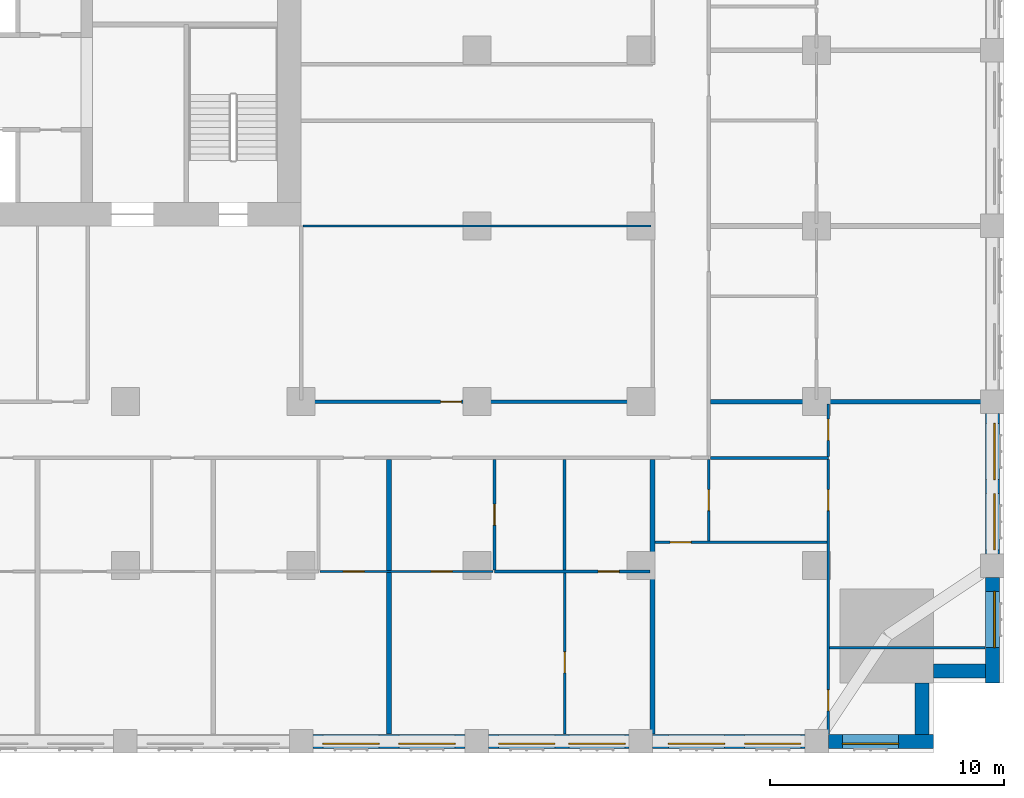
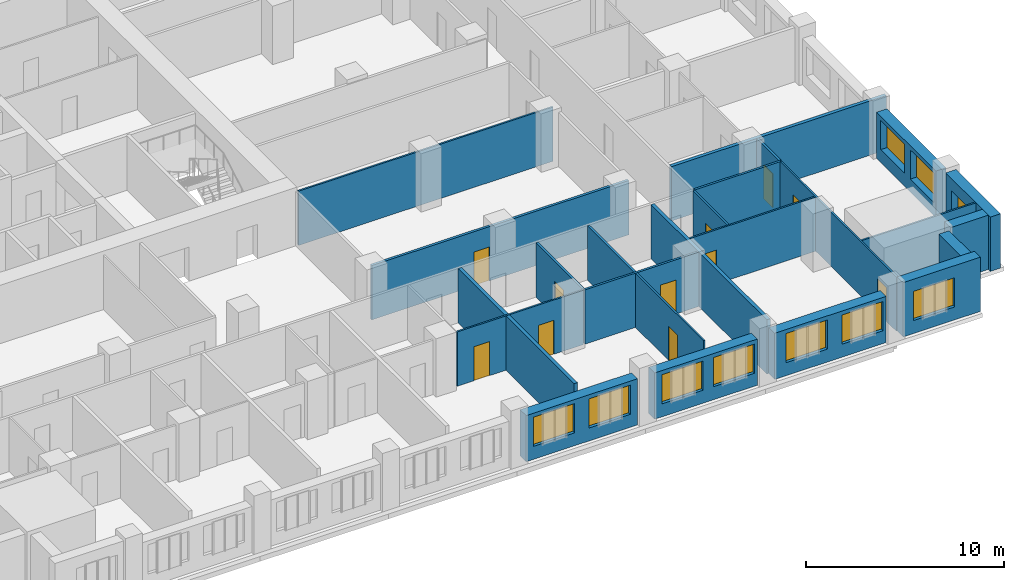
# One storey, part 6 of 14: 24 walls, 11 doors, 10 windows, 21 openings.
"""IFC4 building model written with IfcOpenShell, lengths in metres."""

from ifc_helpers import new_model, si_unit, direction, frame, frame_2d, origin, place, context, subcontext, project, spatial, rectangle, extrude, material, layer, layer_set, type_object, element, fill, save


model = new_model("IFC4")

# Units and contexts
model_context = context("Model", 3, precision=1e-05, world=origin(), true_north=direction((0.0, 1.0)))
body_context = subcontext(model_context, "Body", "Model", "MODEL_VIEW")
ifc_project = project(units=[si_unit("LENGTHUNIT", "METRE"), si_unit("AREAUNIT", "SQUARE_METRE"), si_unit("VOLUMEUNIT", "CUBIC_METRE"), si_unit("PLANEANGLEUNIT", "RADIAN"), si_unit("MASSUNIT", "GRAM", prefix="KILO")], contexts=[model_context])

# Site, building, storey
site_placement = place(None, origin())
site = spatial("IfcSite", under=ifc_project, at=site_placement, CompositionType="ELEMENT")
building_placement = place(site_placement, origin())
building = spatial("IfcBuilding", under=site, at=building_placement, Name="Tamorin Gate", CompositionType="ELEMENT")
storey_placement = place(building_placement, frame((0.0, 0.0, 66.39990234375)))
storey = spatial("IfcBuildingStorey", under=building, at=storey_placement, Name="L15", CompositionType="ELEMENT", Elevation=66.39990234375)

# Wall, openings, windows
ifc_material_1 = material(Name="Precast concrete C40/50", Category="concrete")
ifc_layer_1 = layer(ifc_material_1, 0.60009765625)
ifc_layer_set_1 = layer_set([ifc_layer_1], Name="Precast concrete C40/50")
wall_type_1 = type_object("IfcWallType", Name="Board-marked concrete facade panel 600", PredefinedType="SOLIDWALL", material=ifc_layer_set_1)
wall_1_placement = place(storey_placement, frame((60.5, 38.0, 0.0), z_axis=(0.0, 0.0, 1.0), x_axis=(1.0, 0.0, 0.0)))
wall_1 = element("IfcWall", 1, at=wall_1_placement, inside=storey, type_object=wall_type_1, Name="Facade panel", PredefinedType="SOLIDWALL", context=body_context, shape_type="SweptSolid", body=[
    extrude(rectangle(XDim=6.5, YDim=0.60009765625, at=frame_2d((3.25, 0.0))), origin(), (0.0, 0.0, 1.0), 2.85009765625),
])
opening_1_placement = place(wall_1_placement, frame((0.425048828125, 0.0, 0.800048828125)))
opening_1 = element("IfcOpeningElement", 2, at=opening_1_placement, cuts=wall_1, Name="Opening WN1", PredefinedType="OPENING", context=body_context, shape_type="SweptSolid", body=[
    extrude(rectangle(XDim=2.39990234375, YDim=1.800048828125, at=frame_2d((1.199951171875, 0.89990234375))), frame((0.0, 0.31005859375, 0.0), z_axis=(0.0, -1.0, 0.0), x_axis=(1.0, 0.0, 0.0)), (0.0, 0.0, 1.0), 0.6201171875),
])
opening_2_placement = place(wall_1_placement, frame((3.675048828125, 0.0, 0.800048828125)))
opening_2 = element("IfcOpeningElement", 3, at=opening_2_placement, cuts=wall_1, Name="Opening WN1", PredefinedType="OPENING", context=body_context, shape_type="SweptSolid", body=[
    extrude(rectangle(XDim=2.39990234375, YDim=1.800048828125, at=frame_2d((1.199951171875, 0.89990234375))), frame((0.0, 0.31005859375, 0.0), z_axis=(0.0, -1.0, 0.0), x_axis=(1.0, 0.0, 0.0)), (0.0, 0.0, 1.0), 0.6201171875),
])
ifc_material_2 = material(Name="Clear glass in aluminium frame", Category="aluminium")
window_type = type_object("IfcWindowType", Name="Deep-set window 2400x1800", PartitioningType="SINGLE_PANEL", PredefinedType="WINDOW", material=ifc_material_2)
window_1_placement = place(opening_1_placement, origin())
window_1 = element("IfcWindow", 4, at=window_1_placement, inside=storey, type_object=window_type, Name="Deep-set window", OverallHeight=1.800048828125, OverallWidth=2.39990234375, PartitioningType="SINGLE_PANEL", PredefinedType="WINDOW", context=body_context, shape_type="SweptSolid", body=[
    extrude(rectangle(XDim=2.39990234375, YDim=1.800048828125, at=frame_2d((1.199951171875, 0.89990234375))), frame((0.0, -0.070068359375, 0.0), z_axis=(0.0, -1.0, 0.0), x_axis=(1.0, 0.0, 0.0)), (0.0, 0.0, 1.0), 0.06005859375),
])
fill(opening_1, window_1)
window_2_placement = place(opening_2_placement, origin())
window_2 = element("IfcWindow", 5, at=window_2_placement, inside=storey, type_object=window_type, Name="Deep-set window", OverallHeight=1.800048828125, OverallWidth=2.39990234375, PartitioningType="SINGLE_PANEL", PredefinedType="WINDOW", context=body_context, shape_type="SweptSolid", body=[
    extrude(rectangle(XDim=2.39990234375, YDim=1.800048828125, at=frame_2d((1.199951171875, 0.89990234375))), frame((0.0, -0.070068359375, 0.0), z_axis=(0.0, -1.0, 0.0), x_axis=(1.0, 0.0, 0.0)), (0.0, 0.0, 1.0), 0.06005859375),
])
fill(opening_2, window_2)

wall_2_placement = place(storey_placement, frame((68.0, 38.0, 0.0), z_axis=(0.0, 0.0, 1.0), x_axis=(1.0, 0.0, 0.0)))
wall_2 = element("IfcWall", 6, at=wall_2_placement, inside=storey, type_object=wall_type_1, Name="Facade panel", PredefinedType="SOLIDWALL", context=body_context, shape_type="SweptSolid", body=[
    extrude(rectangle(XDim=6.0, YDim=0.60009765625, at=frame_2d((3.0, 0.0))), origin(), (0.0, 0.0, 1.0), 2.85009765625),
])
opening_3_placement = place(wall_2_placement, frame((0.425048828125, 0.0, 0.800048828125)))
opening_3 = element("IfcOpeningElement", 7, at=opening_3_placement, cuts=wall_2, Name="Opening WN1", PredefinedType="OPENING", context=body_context, shape_type="SweptSolid", body=[
    extrude(rectangle(XDim=2.39990234375, YDim=1.800048828125, at=frame_2d((1.199951171875, 0.89990234375))), frame((0.0, 0.31005859375, 0.0), z_axis=(0.0, -1.0, 0.0), x_axis=(1.0, 0.0, 0.0)), (0.0, 0.0, 1.0), 0.6201171875),
])
opening_4_placement = place(wall_2_placement, frame((3.425048828125, 0.0, 0.800048828125)))
opening_4 = element("IfcOpeningElement", 8, at=opening_4_placement, cuts=wall_2, Name="Opening WN1", PredefinedType="OPENING", context=body_context, shape_type="SweptSolid", body=[
    extrude(rectangle(XDim=2.39990234375, YDim=1.800048828125, at=frame_2d((1.199951171875, 0.89990234375))), frame((0.0, 0.31005859375, 0.0), z_axis=(0.0, -1.0, 0.0), x_axis=(1.0, 0.0, 0.0)), (0.0, 0.0, 1.0), 0.6201171875),
])
window_3_placement = place(opening_3_placement, origin())
window_3 = element("IfcWindow", 9, at=window_3_placement, inside=storey, type_object=window_type, Name="Deep-set window", OverallHeight=1.800048828125, OverallWidth=2.39990234375, PartitioningType="SINGLE_PANEL", PredefinedType="WINDOW", context=body_context, shape_type="SweptSolid", body=[
    extrude(rectangle(XDim=2.39990234375, YDim=1.800048828125, at=frame_2d((1.199951171875, 0.89990234375))), frame((0.0, -0.070068359375, 0.0), z_axis=(0.0, -1.0, 0.0), x_axis=(1.0, 0.0, 0.0)), (0.0, 0.0, 1.0), 0.06005859375),
])
fill(opening_3, window_3)
window_4_placement = place(opening_4_placement, origin())
window_4 = element("IfcWindow", 10, at=window_4_placement, inside=storey, type_object=window_type, Name="Deep-set window", OverallHeight=1.800048828125, OverallWidth=2.39990234375, PartitioningType="SINGLE_PANEL", PredefinedType="WINDOW", context=body_context, shape_type="SweptSolid", body=[
    extrude(rectangle(XDim=2.39990234375, YDim=1.800048828125, at=frame_2d((1.199951171875, 0.89990234375))), frame((0.0, -0.070068359375, 0.0), z_axis=(0.0, -1.0, 0.0), x_axis=(1.0, 0.0, 0.0)), (0.0, 0.0, 1.0), 0.06005859375),
])
fill(opening_4, window_4)

wall_3_placement = place(storey_placement, frame((75.0, 38.0, 0.0), z_axis=(0.0, 0.0, 1.0), x_axis=(1.0, 0.0, 0.0)))
wall_3 = element("IfcWall", 11, at=wall_3_placement, inside=storey, type_object=wall_type_1, Name="Facade panel", PredefinedType="SOLIDWALL", context=body_context, shape_type="SweptSolid", body=[
    extrude(rectangle(XDim=6.5, YDim=0.60009765625, at=frame_2d((3.25, 0.0))), origin(), (0.0, 0.0, 1.0), 2.85009765625),
])
opening_5_placement = place(wall_3_placement, frame((0.675048828125, 0.0, 0.800048828125)))
opening_5 = element("IfcOpeningElement", 12, at=opening_5_placement, cuts=wall_3, Name="Opening WN1", PredefinedType="OPENING", context=body_context, shape_type="SweptSolid", body=[
    extrude(rectangle(XDim=2.39990234375, YDim=1.800048828125, at=frame_2d((1.199951171875, 0.89990234375))), frame((0.0, 0.31005859375, 0.0), z_axis=(0.0, -1.0, 0.0), x_axis=(1.0, 0.0, 0.0)), (0.0, 0.0, 1.0), 0.6201171875),
])
opening_6_placement = place(wall_3_placement, frame((3.925048828125, 0.0, 0.800048828125)))
opening_6 = element("IfcOpeningElement", 13, at=opening_6_placement, cuts=wall_3, Name="Opening WN1", PredefinedType="OPENING", context=body_context, shape_type="SweptSolid", body=[
    extrude(rectangle(XDim=2.39990234375, YDim=1.800048828125, at=frame_2d((1.199951171875, 0.89990234375))), frame((0.0, 0.31005859375, 0.0), z_axis=(0.0, -1.0, 0.0), x_axis=(1.0, 0.0, 0.0)), (0.0, 0.0, 1.0), 0.6201171875),
])
window_5_placement = place(opening_5_placement, origin())
window_5 = element("IfcWindow", 14, at=window_5_placement, inside=storey, type_object=window_type, Name="Deep-set window", OverallHeight=1.800048828125, OverallWidth=2.39990234375, PartitioningType="SINGLE_PANEL", PredefinedType="WINDOW", context=body_context, shape_type="SweptSolid", body=[
    extrude(rectangle(XDim=2.39990234375, YDim=1.800048828125, at=frame_2d((1.199951171875, 0.89990234375))), frame((0.0, -0.070068359375, 0.0), z_axis=(0.0, -1.0, 0.0), x_axis=(1.0, 0.0, 0.0)), (0.0, 0.0, 1.0), 0.06005859375),
])
fill(opening_5, window_5)
window_6_placement = place(opening_6_placement, origin())
window_6 = element("IfcWindow", 15, at=window_6_placement, inside=storey, type_object=window_type, Name="Deep-set window", OverallHeight=1.800048828125, OverallWidth=2.39990234375, PartitioningType="SINGLE_PANEL", PredefinedType="WINDOW", context=body_context, shape_type="SweptSolid", body=[
    extrude(rectangle(XDim=2.39990234375, YDim=1.800048828125, at=frame_2d((1.199951171875, 0.89990234375))), frame((0.0, -0.070068359375, 0.0), z_axis=(0.0, -1.0, 0.0), x_axis=(1.0, 0.0, 0.0)), (0.0, 0.0, 1.0), 0.06005859375),
])
fill(opening_6, window_6)

# Wall, opening, window
wall_4_placement = place(storey_placement, frame((82.5, 38.0, 0.0), z_axis=(0.0, 0.0, 1.0), x_axis=(1.0, 0.0, 0.0)))
wall_4 = element("IfcWall", 16, at=wall_4_placement, inside=storey, type_object=wall_type_1, Name="Facade panel", PredefinedType="SOLIDWALL", context=body_context, shape_type="SweptSolid", body=[
    extrude(rectangle(XDim=4.5, YDim=0.60009765625, at=frame_2d((2.25, 0.0))), origin(), (0.0, 0.0, 1.0), 3.35009765625),
])
opening_7_placement = place(wall_4_placement, frame((0.60009765625, 0.0, 0.800048828125)))
opening_7 = element("IfcOpeningElement", 17, at=opening_7_placement, cuts=wall_4, Name="Opening WN1", PredefinedType="OPENING", context=body_context, shape_type="SweptSolid", body=[
    extrude(rectangle(XDim=2.39990234375, YDim=1.800048828125, at=frame_2d((1.199951171875, 0.89990234375))), frame((0.0, 0.31005859375, 0.0), z_axis=(0.0, -1.0, 0.0), x_axis=(1.0, 0.0, 0.0)), (0.0, 0.0, 1.0), 0.6201171875),
])
window_7_placement = place(opening_7_placement, origin())
window_7 = element("IfcWindow", 18, at=window_7_placement, inside=storey, type_object=window_type, Name="Deep-set window", OverallHeight=1.800048828125, OverallWidth=2.39990234375, PartitioningType="SINGLE_PANEL", PredefinedType="WINDOW", context=body_context, shape_type="SweptSolid", body=[
    extrude(rectangle(XDim=2.39990234375, YDim=1.800048828125, at=frame_2d((1.199951171875, 0.89990234375))), frame((0.0, -0.070068359375, 0.0), z_axis=(0.0, -1.0, 0.0), x_axis=(1.0, 0.0, 0.0)), (0.0, 0.0, 1.0), 0.06005859375),
])
fill(opening_7, window_7)

# Walls
for number, where, z_axis, x_axis, name in (
    (19, (86.5, 38.300048828125, 0.0), (0.0, 0.0, 1.0), (0.0, 1.0, 0.0), "Facade panel"),
    (20, (87.0, 41.0, 0.0), (0.0, 0.0, 1.0), (1.0, 0.0, 0.0), "Facade panel"),
):
    element("IfcWall", number, at=place(storey_placement, frame(where, z_axis=z_axis, x_axis=x_axis)), inside=storey, type_object=wall_type_1, Name=name, PredefinedType="SOLIDWALL", context=body_context, shape_type="SweptSolid", body=[
        extrude(rectangle(XDim=2.199951171875, YDim=0.60009765625, at=frame_2d((1.10009765625, 0.0))), origin(), (0.0, 0.0, 1.0), 3.35009765625),
    ])

# Wall, opening, window
wall_5_placement = place(storey_placement, frame((89.5, 40.5, 0.0), z_axis=(0.0, 0.0, 1.0), x_axis=(0.0, 1.0, 0.0)))
wall_5 = element("IfcWall", 21, at=wall_5_placement, inside=storey, type_object=wall_type_1, Name="Facade panel", PredefinedType="SOLIDWALL", context=body_context, shape_type="SweptSolid", body=[
    extrude(rectangle(XDim=4.5, YDim=0.60009765625, at=frame_2d((2.25, 0.0))), origin(), (0.0, 0.0, 1.0), 3.35009765625),
])
opening_8_placement = place(wall_5_placement, frame((1.5, 0.0, 0.800048828125)))
opening_8 = element("IfcOpeningElement", 22, at=opening_8_placement, cuts=wall_5, Name="Opening WN1", PredefinedType="OPENING", context=body_context, shape_type="SweptSolid", body=[
    extrude(rectangle(XDim=2.39990234375, YDim=1.800048828125, at=frame_2d((1.199951171875, 0.89990234375))), frame((0.0, 0.31005859375, 0.0), z_axis=(0.0, -1.0, 0.0), x_axis=(1.0, 0.0, 0.0)), (0.0, 0.0, 1.0), 0.6201171875),
])
window_8_placement = place(opening_8_placement, origin())
window_8 = element("IfcWindow", 23, at=window_8_placement, inside=storey, type_object=window_type, Name="Deep-set window", OverallHeight=1.800048828125, OverallWidth=2.39990234375, PartitioningType="SINGLE_PANEL", PredefinedType="WINDOW", context=body_context, shape_type="SweptSolid", body=[
    extrude(rectangle(XDim=2.39990234375, YDim=1.800048828125, at=frame_2d((1.199951171875, 0.89990234375))), frame((0.0, -0.070068359375, 0.0), z_axis=(0.0, -1.0, 0.0), x_axis=(1.0, 0.0, 0.0)), (0.0, 0.0, 1.0), 0.06005859375),
])
fill(opening_8, window_8)

# Wall, openings, windows
wall_6_placement = place(storey_placement, frame((89.5, 46.0, 0.0), z_axis=(0.0, 0.0, 1.0), x_axis=(0.0, 1.0, 0.0)))
wall_6 = element("IfcWall", 24, at=wall_6_placement, inside=storey, type_object=wall_type_1, Name="Facade panel", PredefinedType="SOLIDWALL", context=body_context, shape_type="SweptSolid", body=[
    extrude(rectangle(XDim=6.0, YDim=0.60009765625, at=frame_2d((3.0, 0.0))), origin(), (0.0, 0.0, 1.0), 2.85009765625),
])
opening_9_placement = place(wall_6_placement, frame((0.175048828125, 0.0, 0.800048828125)))
opening_9 = element("IfcOpeningElement", 25, at=opening_9_placement, cuts=wall_6, Name="Opening WN1", PredefinedType="OPENING", context=body_context, shape_type="SweptSolid", body=[
    extrude(rectangle(XDim=2.39990234375, YDim=1.800048828125, at=frame_2d((1.199951171875, 0.89990234375))), frame((0.0, 0.31005859375, 0.0), z_axis=(0.0, -1.0, 0.0), x_axis=(1.0, 0.0, 0.0)), (0.0, 0.0, 1.0), 0.6201171875),
])
opening_10_placement = place(wall_6_placement, frame((3.175048828125, 0.0, 0.800048828125)))
opening_10 = element("IfcOpeningElement", 26, at=opening_10_placement, cuts=wall_6, Name="Opening WN1", PredefinedType="OPENING", context=body_context, shape_type="SweptSolid", body=[
    extrude(rectangle(XDim=2.39990234375, YDim=1.800048828125, at=frame_2d((1.199951171875, 0.89990234375))), frame((0.0, 0.31005859375, 0.0), z_axis=(0.0, -1.0, 0.0), x_axis=(1.0, 0.0, 0.0)), (0.0, 0.0, 1.0), 0.6201171875),
])
window_9_placement = place(opening_9_placement, origin())
window_9 = element("IfcWindow", 27, at=window_9_placement, inside=storey, type_object=window_type, Name="Deep-set window", OverallHeight=1.800048828125, OverallWidth=2.39990234375, PartitioningType="SINGLE_PANEL", PredefinedType="WINDOW", context=body_context, shape_type="SweptSolid", body=[
    extrude(rectangle(XDim=2.39990234375, YDim=1.800048828125, at=frame_2d((1.199951171875, 0.89990234375))), frame((0.0, -0.070068359375, 0.0), z_axis=(0.0, -1.0, 0.0), x_axis=(1.0, 0.0, 0.0)), (0.0, 0.0, 1.0), 0.06005859375),
])
fill(opening_9, window_9)
window_10_placement = place(opening_10_placement, origin())
window_10 = element("IfcWindow", 28, at=window_10_placement, inside=storey, type_object=window_type, Name="Deep-set window", OverallHeight=1.800048828125, OverallWidth=2.39990234375, PartitioningType="SINGLE_PANEL", PredefinedType="WINDOW", context=body_context, shape_type="SweptSolid", body=[
    extrude(rectangle(XDim=2.39990234375, YDim=1.800048828125, at=frame_2d((1.199951171875, 0.89990234375))), frame((0.0, -0.070068359375, 0.0), z_axis=(0.0, -1.0, 0.0), x_axis=(1.0, 0.0, 0.0)), (0.0, 0.0, 1.0), 0.06005859375),
])
fill(opening_10, window_10)

# Wall, opening, door
ifc_material_3 = material(Name="Gypsum board partition")
ifc_layer_2 = layer(ifc_material_3, 0.14990234375)
ifc_layer_set_2 = layer_set([ifc_layer_2], Name="Corridor wall 150")
wall_type_2 = type_object("IfcWallType", Name="Corridor wall 150", PredefinedType="PARTITIONING", material=ifc_layer_set_2)
wall_7_placement = place(storey_placement, frame((60.0, 52.5, 0.0), z_axis=(0.0, 0.0, 1.0), x_axis=(1.0, 0.0, 0.0)))
wall_7 = element("IfcWall", 29, at=wall_7_placement, inside=storey, type_object=wall_type_2, Name="Corridor wall 150", PredefinedType="PARTITIONING", context=body_context, shape_type="SweptSolid", body=[
    extrude(rectangle(XDim=15.0, YDim=0.14990234375, at=frame_2d((7.5, 0.0))), origin(), (0.0, 0.0, 1.0), 3.35009765625),
])
opening_11_placement = place(wall_7_placement, frame((5.949951171875, 0.0, 0.0)))
opening_11 = element("IfcOpeningElement", 30, at=opening_11_placement, cuts=wall_7, Name="Opening DH2069", PredefinedType="OPENING", context=body_context, shape_type="SweptSolid", body=[
    extrude(rectangle(XDim=0.89990234375, YDim=2.10009765625, at=frame_2d((0.449951171875, 1.050048828125))), frame((0.0, 0.0849609375, 0.0), z_axis=(0.0, -1.0, 0.0), x_axis=(1.0, 0.0, 0.0)), (0.0, 0.0, 1.0), 0.169921875),
])
ifc_material_4 = material(Name="Timber door leaf", Category="wood")
door_type_1 = type_object("IfcDoorType", Name="Door 900 x 2100 FD30S", OperationType="NOTDEFINED", PredefinedType="DOOR", material=ifc_material_4)
door_1_placement = place(opening_11_placement, origin())
door_1 = element("IfcDoor", 31, at=door_1_placement, inside=storey, type_object=door_type_1, Name="Door DH2069", OperationType="SINGLE_SWING_LEFT", OverallHeight=2.10009765625, OverallWidth=0.89990234375, PredefinedType="DOOR", context=body_context, shape_type="SweptSolid", body=[
    extrude(rectangle(XDim=0.89990234375, YDim=2.10009765625, at=frame_2d((0.449951171875, 1.050048828125))), frame((0.0, 0.02490234375, 0.0), z_axis=(0.0, -1.0, 0.0), x_axis=(1.0, 0.0, 0.0)), (0.0, 0.0, 1.0), 0.050048828125),
])
fill(opening_11, door_1)

# Walls
ifc_layer_3 = layer(ifc_material_3, 0.199951171875)
ifc_layer_set_3 = layer_set([ifc_layer_3], Name="Demising wall 200")
wall_type_3 = type_object("IfcWallType", Name="Demising wall 200", PredefinedType="PARTITIONING", material=ifc_layer_set_3)
wall_8_placement = place(storey_placement, frame((77.47509765625, 52.5, 0.0), z_axis=(0.0, 0.0, 1.0), x_axis=(1.0, 0.0, 0.0)))
element("IfcWall", 32, at=wall_8_placement, inside=storey, type_object=wall_type_3, Name="Demising wall 200", PredefinedType="PARTITIONING", context=body_context, shape_type="SweptSolid", body=[
    extrude(rectangle(XDim=12.52490234375, YDim=0.199951171875, at=frame_2d((6.262451171875, 0.0))), origin(), (0.0, 0.0, 1.0), 3.35009765625),
])
for number, where, z_axis, x_axis, name in (
    (33, (63.75, 38.31005859375, 0.0), (0.0, 0.0, 1.0), (0.0, 1.0, 0.0), "Demising wall 200"),
    (34, (75.0, 38.31005859375, 0.0), (0.0, 0.0, 1.0), (0.0, 1.0, 0.0), "Demising wall 200"),
):
    element("IfcWall", number, at=place(storey_placement, frame(where, z_axis=z_axis, x_axis=x_axis)), inside=storey, type_object=wall_type_3, Name=name, PredefinedType="PARTITIONING", context=body_context, shape_type="SweptSolid", body=[
        extrude(rectangle(XDim=11.71484375, YDim=0.199951171875, at=frame_2d((5.857421875, 0.0))), origin(), (0.0, 0.0, 1.0), 3.35009765625),
    ])
ifc_layer_4 = layer(ifc_material_3, 0.10009765625)
ifc_layer_set_4 = layer_set([ifc_layer_4], Name="Room partition 100")
wall_type_4 = type_object("IfcWallType", Name="Room partition 100", PredefinedType="PARTITIONING", material=ifc_layer_set_4)
wall_9_placement = place(storey_placement, frame((82.550048828125, 42.0, 0.0), z_axis=(0.0, 0.0, 1.0), x_axis=(1.0, 0.0, 0.0)))
element("IfcWall", 35, at=wall_9_placement, inside=storey, type_object=wall_type_4, Name="Room partition 100", PredefinedType="PARTITIONING", context=body_context, shape_type="SweptSolid", body=[
    extrude(rectangle(XDim=6.639892578125, YDim=0.10009765625, at=frame_2d((3.31982421875, 0.0))), origin(), (0.0, 0.0, 1.0), 3.35009765625),
])

# Wall, openings, doors
wall_10_placement = place(storey_placement, frame((60.8125, 45.25, 0.0), z_axis=(0.0, 0.0, 1.0), x_axis=(1.0, 0.0, 0.0)))
wall_10 = element("IfcWall", 36, at=wall_10_placement, inside=storey, type_object=wall_type_4, Name="Room partition 100", PredefinedType="PARTITIONING", context=body_context, shape_type="SweptSolid", body=[
    extrude(rectangle(XDim=7.375, YDim=0.10009765625, at=frame_2d((3.6875, 0.0))), origin(), (0.0, 0.0, 1.0), 3.35009765625),
])
opening_12_placement = place(wall_10_placement, frame((0.987548828125, 0.0, 0.0)))
opening_12 = element("IfcOpeningElement", 37, at=opening_12_placement, cuts=wall_10, Name="Opening DH2013", PredefinedType="OPENING", context=body_context, shape_type="SweptSolid", body=[
    extrude(rectangle(XDim=0.89990234375, YDim=2.10009765625, at=frame_2d((0.449951171875, 1.050048828125))), frame((0.0, 0.06005859375, 0.0), z_axis=(0.0, -1.0, 0.0), x_axis=(1.0, 0.0, 0.0)), (0.0, 0.0, 1.0), 0.1201171875),
])
opening_13_placement = place(wall_10_placement, frame((4.737548828125, 0.0, 0.0)))
opening_13 = element("IfcOpeningElement", 38, at=opening_13_placement, cuts=wall_10, Name="Opening DH2015", PredefinedType="OPENING", context=body_context, shape_type="SweptSolid", body=[
    extrude(rectangle(XDim=0.89990234375, YDim=2.10009765625, at=frame_2d((0.449951171875, 1.050048828125))), frame((0.0, 0.06005859375, 0.0), z_axis=(0.0, -1.0, 0.0), x_axis=(1.0, 0.0, 0.0)), (0.0, 0.0, 1.0), 0.1201171875),
])
door_type_2 = type_object("IfcDoorType", Name="Door 900 x 2100", OperationType="NOTDEFINED", PredefinedType="DOOR", material=ifc_material_4)
door_2_placement = place(opening_12_placement, origin())
door_2 = element("IfcDoor", 39, at=door_2_placement, inside=storey, type_object=door_type_2, Name="Door DH2013", OperationType="SINGLE_SWING_LEFT", OverallHeight=2.10009765625, OverallWidth=0.89990234375, PredefinedType="DOOR", context=body_context, shape_type="SweptSolid", body=[
    extrude(rectangle(XDim=0.89990234375, YDim=2.10009765625, at=frame_2d((0.449951171875, 1.050048828125))), frame((0.0, 0.02490234375, 0.0), z_axis=(0.0, -1.0, 0.0), x_axis=(1.0, 0.0, 0.0)), (0.0, 0.0, 1.0), 0.050048828125),
])
fill(opening_12, door_2)
door_3_placement = place(opening_13_placement, origin())
door_3 = element("IfcDoor", 40, at=door_3_placement, inside=storey, type_object=door_type_2, Name="Door DH2015", OperationType="SINGLE_SWING_LEFT", OverallHeight=2.10009765625, OverallWidth=0.89990234375, PredefinedType="DOOR", context=body_context, shape_type="SweptSolid", body=[
    extrude(rectangle(XDim=0.89990234375, YDim=2.10009765625, at=frame_2d((0.449951171875, 1.050048828125))), frame((0.0, 0.02490234375, 0.0), z_axis=(0.0, -1.0, 0.0), x_axis=(1.0, 0.0, 0.0)), (0.0, 0.0, 1.0), 0.050048828125),
])
fill(opening_13, door_3)

# Wall, opening, door
wall_11_placement = place(storey_placement, frame((75.10009765625, 46.5, 0.0), z_axis=(0.0, 0.0, 1.0), x_axis=(1.0, 0.0, 0.0)))
wall_11 = element("IfcWall", 41, at=wall_11_placement, inside=storey, type_object=wall_type_4, Name="Room partition 100", PredefinedType="PARTITIONING", context=body_context, shape_type="SweptSolid", body=[
    extrude(rectangle(XDim=7.349853515625, YDim=0.10009765625, at=frame_2d((3.6748046875, 0.0))), origin(), (0.0, 0.0, 1.0), 3.35009765625),
])
opening_14_placement = place(wall_11_placement, frame((0.64990234375, 0.0, 0.0)))
opening_14 = element("IfcOpeningElement", 42, at=opening_14_placement, cuts=wall_11, Name="Opening DH2056", PredefinedType="OPENING", context=body_context, shape_type="SweptSolid", body=[
    extrude(rectangle(XDim=0.89990234375, YDim=2.10009765625, at=frame_2d((0.449951171875, 1.050048828125))), frame((0.0, 0.06005859375, 0.0), z_axis=(0.0, -1.0, 0.0), x_axis=(1.0, 0.0, 0.0)), (0.0, 0.0, 1.0), 0.1201171875),
])
door_4_placement = place(opening_14_placement, origin())
door_4 = element("IfcDoor", 43, at=door_4_placement, inside=storey, type_object=door_type_2, Name="Door DH2056", OperationType="SINGLE_SWING_RIGHT", OverallHeight=2.10009765625, OverallWidth=0.89990234375, PredefinedType="DOOR", context=body_context, shape_type="SweptSolid", body=[
    extrude(rectangle(XDim=0.89990234375, YDim=2.10009765625, at=frame_2d((0.449951171875, 1.050048828125))), frame((0.0, 0.02490234375, 0.0), z_axis=(0.0, -1.0, 0.0), x_axis=(1.0, 0.0, 0.0)), (0.0, 0.0, 1.0), 0.050048828125),
])
fill(opening_14, door_4)

# Wall
wall_12_placement = place(storey_placement, frame((60.074951171875, 60.0, 0.0), z_axis=(0.0, 0.0, 1.0), x_axis=(1.0, 0.0, 0.0)))
element("IfcWall", 44, at=wall_12_placement, inside=storey, type_object=wall_type_4, Name="Room partition 100", PredefinedType="PARTITIONING", context=body_context, shape_type="SweptSolid", body=[
    extrude(rectangle(XDim=14.85009765625, YDim=0.10009765625, at=frame_2d((7.425048828125, 0.0))), origin(), (0.0, 0.0, 1.0), 3.35009765625),
])

# Wall, opening, door
wall_13_placement = place(storey_placement, frame((71.25, 38.31005859375, 0.0), z_axis=(0.0, 0.0, 1.0), x_axis=(0.0, 1.0, 0.0)))
wall_13 = element("IfcWall", 45, at=wall_13_placement, inside=storey, type_object=wall_type_4, Name="Room partition 100", PredefinedType="PARTITIONING", context=body_context, shape_type="SweptSolid", body=[
    extrude(rectangle(XDim=6.87744140625, YDim=0.10009765625, at=frame_2d((3.438720703125, 0.0))), origin(), (0.0, 0.0, 1.0), 3.35009765625),
])
opening_15_placement = place(wall_13_placement, frame((2.614990234375, 0.0, 0.0)))
opening_15 = element("IfcOpeningElement", 46, at=opening_15_placement, cuts=wall_13, Name="Opening DH2018", PredefinedType="OPENING", context=body_context, shape_type="SweptSolid", body=[
    extrude(rectangle(XDim=0.89990234375, YDim=2.10009765625, at=frame_2d((0.449951171875, 1.050048828125))), frame((0.0, 0.06005859375, 0.0), z_axis=(0.0, -1.0, 0.0), x_axis=(1.0, 0.0, 0.0)), (0.0, 0.0, 1.0), 0.1201171875),
])
door_5_placement = place(opening_15_placement, origin())
door_5 = element("IfcDoor", 47, at=door_5_placement, inside=storey, type_object=door_type_2, Name="Door DH2018", OperationType="SINGLE_SWING_LEFT", OverallHeight=2.10009765625, OverallWidth=0.89990234375, PredefinedType="DOOR", context=body_context, shape_type="SweptSolid", body=[
    extrude(rectangle(XDim=0.89990234375, YDim=2.10009765625, at=frame_2d((0.449951171875, 1.050048828125))), frame((0.0, 0.02490234375, 0.0), z_axis=(0.0, -1.0, 0.0), x_axis=(1.0, 0.0, 0.0)), (0.0, 0.0, 1.0), 0.050048828125),
])
fill(opening_15, door_5)

wall_14_placement = place(storey_placement, frame((77.39990234375, 46.550048828125, 0.0), z_axis=(0.0, 0.0, 1.0), x_axis=(0.0, 1.0, 0.0)))
wall_14 = element("IfcWall", 48, at=wall_14_placement, inside=storey, type_object=wall_type_4, Name="Room partition 100", PredefinedType="PARTITIONING", context=body_context, shape_type="SweptSolid", body=[
    extrude(rectangle(XDim=3.474853515625, YDim=0.10009765625, at=frame_2d((1.7373046875, 0.0))), origin(), (0.0, 0.0, 1.0), 3.35009765625),
])
opening_16_placement = place(wall_14_placement, frame((1.300048828125, 0.0, 0.0)))
opening_16 = element("IfcOpeningElement", 49, at=opening_16_placement, cuts=wall_14, Name="Opening DH2057", PredefinedType="OPENING", context=body_context, shape_type="SweptSolid", body=[
    extrude(rectangle(XDim=0.89990234375, YDim=2.10009765625, at=frame_2d((0.449951171875, 1.050048828125))), frame((0.0, 0.06005859375, 0.0), z_axis=(0.0, -1.0, 0.0), x_axis=(1.0, 0.0, 0.0)), (0.0, 0.0, 1.0), 0.1201171875),
])
door_6_placement = place(opening_16_placement, origin())
door_6 = element("IfcDoor", 50, at=door_6_placement, inside=storey, type_object=door_type_2, Name="Door DH2057", OperationType="SINGLE_SWING_RIGHT", OverallHeight=2.10009765625, OverallWidth=0.89990234375, PredefinedType="DOOR", context=body_context, shape_type="SweptSolid", body=[
    extrude(rectangle(XDim=0.89990234375, YDim=2.10009765625, at=frame_2d((0.449951171875, 1.050048828125))), frame((0.0, 0.02490234375, 0.0), z_axis=(0.0, -1.0, 0.0), x_axis=(1.0, 0.0, 0.0)), (0.0, 0.0, 1.0), 0.050048828125),
])
fill(opening_16, door_6)

# Wall, openings, doors
wall_15_placement = place(storey_placement, frame((82.5, 38.31005859375, 0.0), z_axis=(0.0, 0.0, 1.0), x_axis=(0.0, 1.0, 0.0)))
wall_15 = element("IfcWall", 51, at=wall_15_placement, inside=storey, type_object=wall_type_4, Name="Room partition 100", PredefinedType="PARTITIONING", context=body_context, shape_type="SweptSolid", body=[
    extrude(rectangle(XDim=11.7275390625, YDim=0.10009765625, at=frame_2d((5.86376953125, 0.0))), origin(), (0.0, 0.0, 1.0), 3.35009765625),
])
opening_17_placement = place(wall_15_placement, frame((0.989990234375, 0.0, 0.0)))
opening_17 = element("IfcOpeningElement", 52, at=opening_17_placement, cuts=wall_15, Name="Opening DH2058", PredefinedType="OPENING", context=body_context, shape_type="SweptSolid", body=[
    extrude(rectangle(XDim=0.89990234375, YDim=2.10009765625, at=frame_2d((0.449951171875, 1.050048828125))), frame((0.0, 0.06005859375, 0.0), z_axis=(0.0, -1.0, 0.0), x_axis=(1.0, 0.0, 0.0)), (0.0, 0.0, 1.0), 0.1201171875),
])
opening_18_placement = place(wall_15_placement, frame((9.5400390625, 0.0, 0.0)))
opening_18 = element("IfcOpeningElement", 53, at=opening_18_placement, cuts=wall_15, Name="Opening DH2059", PredefinedType="OPENING", context=body_context, shape_type="SweptSolid", body=[
    extrude(rectangle(XDim=0.89990234375, YDim=2.10009765625, at=frame_2d((0.449951171875, 1.050048828125))), frame((0.0, 0.06005859375, 0.0), z_axis=(0.0, -1.0, 0.0), x_axis=(1.0, 0.0, 0.0)), (0.0, 0.0, 1.0), 0.1201171875),
])
door_7_placement = place(opening_17_placement, origin())
door_7 = element("IfcDoor", 54, at=door_7_placement, inside=storey, type_object=door_type_2, Name="Door DH2058", OperationType="SINGLE_SWING_LEFT", OverallHeight=2.10009765625, OverallWidth=0.89990234375, PredefinedType="DOOR", context=body_context, shape_type="SweptSolid", body=[
    extrude(rectangle(XDim=0.89990234375, YDim=2.10009765625, at=frame_2d((0.449951171875, 1.050048828125))), frame((0.0, 0.02490234375, 0.0), z_axis=(0.0, -1.0, 0.0), x_axis=(1.0, 0.0, 0.0)), (0.0, 0.0, 1.0), 0.050048828125),
])
fill(opening_17, door_7)
door_8_placement = place(opening_18_placement, origin())
door_8 = element("IfcDoor", 55, at=door_8_placement, inside=storey, type_object=door_type_2, Name="Door DH2059", OperationType="SINGLE_SWING_RIGHT", OverallHeight=2.10009765625, OverallWidth=0.89990234375, PredefinedType="DOOR", context=body_context, shape_type="SweptSolid", body=[
    extrude(rectangle(XDim=0.89990234375, YDim=2.10009765625, at=frame_2d((0.449951171875, 1.050048828125))), frame((0.0, 0.02490234375, 0.0), z_axis=(0.0, -1.0, 0.0), x_axis=(1.0, 0.0, 0.0)), (0.0, 0.0, 1.0), 0.050048828125),
])
fill(opening_18, door_8)

# Wall, opening, door
ifc_layer_5 = layer(ifc_material_3, 0.125)
ifc_layer_set_5 = layer_set([ifc_layer_5], Name="Wet wall 125")
wall_type_5 = type_object("IfcWallType", Name="Wet wall 125", PredefinedType="PARTITIONING", material=ifc_layer_set_5)
wall_16_placement = place(storey_placement, frame((68.25, 45.25, 0.0), z_axis=(0.0, 0.0, 1.0), x_axis=(1.0, 0.0, 0.0)))
wall_16 = element("IfcWall", 56, at=wall_16_placement, inside=storey, type_object=wall_type_5, Name="Wet wall 125", PredefinedType="PARTITIONING", context=body_context, shape_type="SweptSolid", body=[
    extrude(rectangle(XDim=6.64990234375, YDim=0.125, at=frame_2d((3.324951171875, 0.0))), origin(), (0.0, 0.0, 1.0), 3.35009765625),
])
opening_19_placement = place(wall_16_placement, frame((4.425048828125, 0.0, 0.0)))
opening_19 = element("IfcOpeningElement", 57, at=opening_19_placement, cuts=wall_16, Name="Opening DH2017", PredefinedType="OPENING", context=body_context, shape_type="SweptSolid", body=[
    extrude(rectangle(XDim=0.89990234375, YDim=2.10009765625, at=frame_2d((0.449951171875, 1.050048828125))), frame((0.0, 0.072509765625, 0.0), z_axis=(0.0, -1.0, 0.0), x_axis=(1.0, 0.0, 0.0)), (0.0, 0.0, 1.0), 0.14501953125),
])
door_9_placement = place(opening_19_placement, origin())
door_9 = element("IfcDoor", 58, at=door_9_placement, inside=storey, type_object=door_type_2, Name="Door DH2017", OperationType="SINGLE_SWING_LEFT", OverallHeight=2.10009765625, OverallWidth=0.89990234375, PredefinedType="DOOR", context=body_context, shape_type="SweptSolid", body=[
    extrude(rectangle(XDim=0.89990234375, YDim=2.10009765625, at=frame_2d((0.449951171875, 1.050048828125))), frame((0.0, 0.02490234375, 0.0), z_axis=(0.0, -1.0, 0.0), x_axis=(1.0, 0.0, 0.0)), (0.0, 0.0, 1.0), 0.050048828125),
])
fill(opening_19, door_9)

# Wall
wall_17_placement = place(storey_placement, frame((77.47509765625, 50.10009765625, 0.0), z_axis=(0.0, 0.0, 1.0), x_axis=(1.0, 0.0, 0.0)))
element("IfcWall", 59, at=wall_17_placement, inside=storey, type_object=wall_type_5, Name="Wet wall 125", PredefinedType="PARTITIONING", context=body_context, shape_type="SweptSolid", body=[
    extrude(rectangle(XDim=5.02490234375, YDim=0.125, at=frame_2d((2.512451171875, 0.0))), origin(), (0.0, 0.0, 1.0), 3.35009765625),
])

# Wall, opening, door
wall_18_placement = place(storey_placement, frame((68.25, 45.3125, 0.0), z_axis=(0.0, 0.0, 1.0), x_axis=(0.0, 1.0, 0.0)))
wall_18 = element("IfcWall", 60, at=wall_18_placement, inside=storey, type_object=wall_type_5, Name="Wet wall 125", PredefinedType="PARTITIONING", context=body_context, shape_type="SweptSolid", body=[
    extrude(rectangle(XDim=4.71240234375, YDim=0.125, at=frame_2d((2.356201171875, 0.0))), origin(), (0.0, 0.0, 1.0), 3.35009765625),
])
opening_20_placement = place(wall_18_placement, frame((1.91259765625, 0.0, 0.0)))
opening_20 = element("IfcOpeningElement", 61, at=opening_20_placement, cuts=wall_18, Name="Opening DH2016", PredefinedType="OPENING", context=body_context, shape_type="SweptSolid", body=[
    extrude(rectangle(XDim=0.89990234375, YDim=2.10009765625, at=frame_2d((0.449951171875, 1.050048828125))), frame((0.0, 0.072509765625, 0.0), z_axis=(0.0, -1.0, 0.0), x_axis=(1.0, 0.0, 0.0)), (0.0, 0.0, 1.0), 0.14501953125),
])
door_10_placement = place(opening_20_placement, origin())
door_10 = element("IfcDoor", 62, at=door_10_placement, inside=storey, type_object=door_type_2, Name="Door DH2016", OperationType="SINGLE_SWING_LEFT", OverallHeight=2.10009765625, OverallWidth=0.89990234375, PredefinedType="DOOR", context=body_context, shape_type="SweptSolid", body=[
    extrude(rectangle(XDim=0.89990234375, YDim=2.10009765625, at=frame_2d((0.449951171875, 1.050048828125))), frame((0.0, 0.02490234375, 0.0), z_axis=(0.0, -1.0, 0.0), x_axis=(1.0, 0.0, 0.0)), (0.0, 0.0, 1.0), 0.050048828125),
])
fill(opening_20, door_10)

# Wall
wall_19_placement = place(storey_placement, frame((71.25, 45.3125, 0.0), z_axis=(0.0, 0.0, 1.0), x_axis=(0.0, 1.0, 0.0)))
element("IfcWall", 63, at=wall_19_placement, inside=storey, type_object=wall_type_5, Name="Wet wall 125", PredefinedType="PARTITIONING", context=body_context, shape_type="SweptSolid", body=[
    extrude(rectangle(XDim=4.71240234375, YDim=0.125, at=frame_2d((2.356201171875, 0.0))), origin(), (0.0, 0.0, 1.0), 3.35009765625),
])

# Wall, opening, door
wall_20_placement = place(storey_placement, frame((82.5, 50.16259765625, 0.0), z_axis=(0.0, 0.0, 1.0), x_axis=(0.0, 1.0, 0.0)))
wall_20 = element("IfcWall", 64, at=wall_20_placement, inside=storey, type_object=wall_type_5, Name="Wet wall 125", PredefinedType="PARTITIONING", context=body_context, shape_type="SweptSolid", body=[
    extrude(rectangle(XDim=2.2373046875, YDim=0.125, at=frame_2d((1.11865234375, 0.0))), origin(), (0.0, 0.0, 1.0), 3.35009765625),
])
opening_21_placement = place(wall_20_placement, frame((0.6875, 0.0, 0.0)))
opening_21 = element("IfcOpeningElement", 65, at=opening_21_placement, cuts=wall_20, Name="Opening DH2060", PredefinedType="OPENING", context=body_context, shape_type="SweptSolid", body=[
    extrude(rectangle(XDim=0.89990234375, YDim=2.10009765625, at=frame_2d((0.449951171875, 1.050048828125))), frame((0.0, 0.072509765625, 0.0), z_axis=(0.0, -1.0, 0.0), x_axis=(1.0, 0.0, 0.0)), (0.0, 0.0, 1.0), 0.14501953125),
])
door_11_placement = place(opening_21_placement, origin())
door_11 = element("IfcDoor", 66, at=door_11_placement, inside=storey, type_object=door_type_2, Name="Door DH2060", OperationType="SINGLE_SWING_LEFT", OverallHeight=2.10009765625, OverallWidth=0.89990234375, PredefinedType="DOOR", context=body_context, shape_type="SweptSolid", body=[
    extrude(rectangle(XDim=0.89990234375, YDim=2.10009765625, at=frame_2d((0.449951171875, 1.050048828125))), frame((0.0, 0.02490234375, 0.0), z_axis=(0.0, -1.0, 0.0), x_axis=(1.0, 0.0, 0.0)), (0.0, 0.0, 1.0), 0.050048828125),
])
fill(opening_21, door_11)

save(model, "model.ifc")
